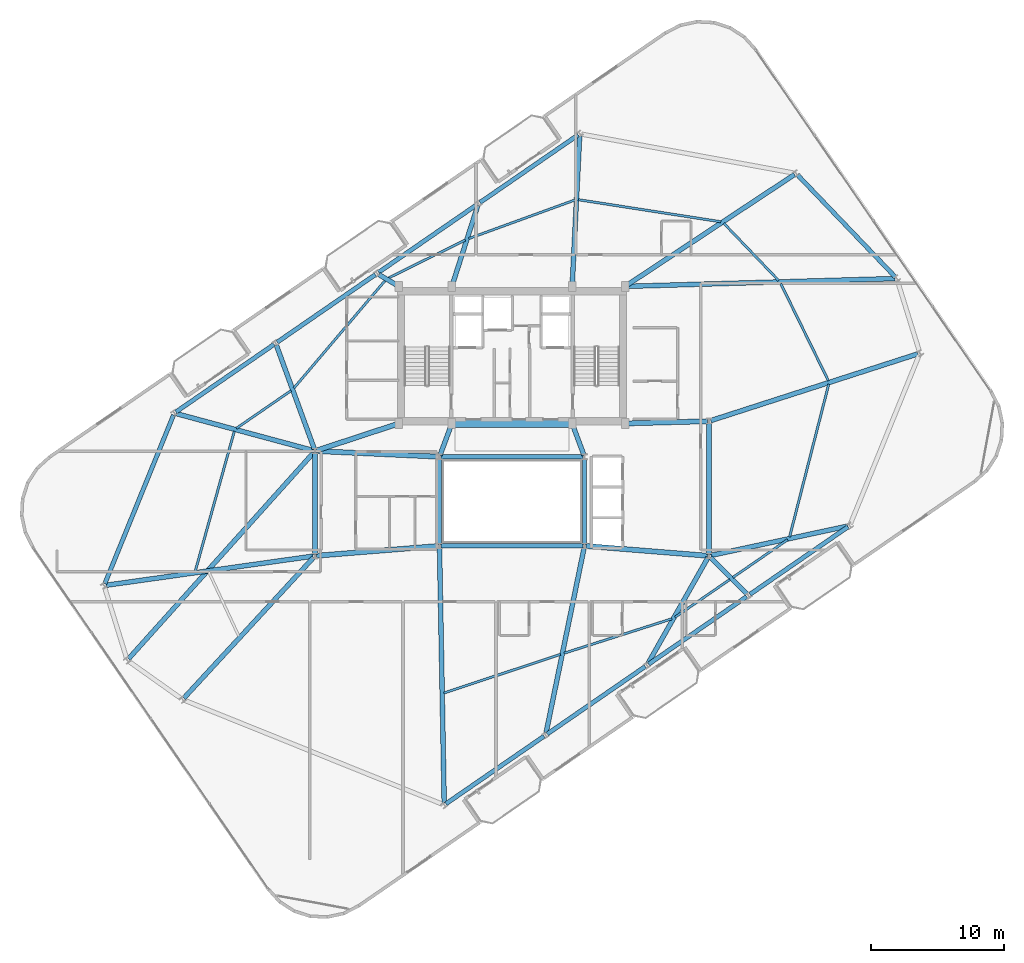
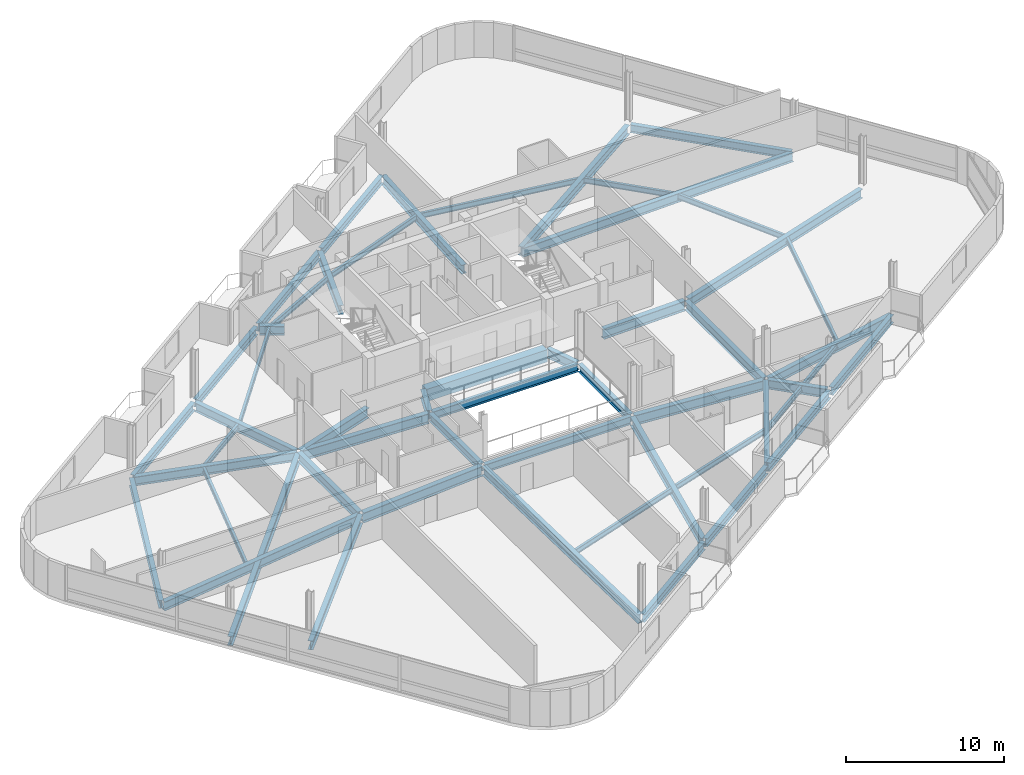
# One storey, part 8 of 23: 53 beams.
"""IFC4 building model written with IfcOpenShell, lengths in metres."""

import ifcopenshell
import ifcopenshell.guid

model = None  # the IFC model being written
_history = None  # IfcOwnerHistory: only IFC2X3 demands one
_inside = {}  # id of a spatial element -> (the spatial element, [elements in it])
_under = {}  # id of a project, library or spatial element -> (it, [spatial elements below it])
_declared = {}  # id of a project -> (the project, [libraries it declares])
_typed = {}  # id of a type object -> (the type object, [elements of that type])
_made_of = {}  # id of a material, layer set ... -> (it, [elements and type objects made of it])


def new_model(schema):
    """Start an empty IFC model of exactly this schema.

    Asked for "IFC4X3", IfcOpenShell would pick the latest addendum, in which some entities
    have other attributes; the version numbers below select the first issue.
    IFC2X3 requires an IfcOwnerHistory on every rooted entity: one is made here for all.
    """
    global model, _history
    if schema == "IFC4X3":
        model = ifcopenshell.file(schema_version=(4, 3, 0, 0))
    else:
        model = ifcopenshell.file(schema=schema)
    _inside.clear()
    _under.clear()
    _declared.clear()
    _typed.clear()
    _made_of.clear()
    _history = None
    if model.schema == "IFC2X3":
        org = make("IfcOrganization", Name="unknown")
        user = make(
            "IfcPersonAndOrganization",
            ThePerson=make("IfcPerson", FamilyName="unknown"),
            TheOrganization=org,
        )
        app = make(
            "IfcApplication",
            ApplicationDeveloper=org,
            Version="unknown",
            ApplicationFullName="unknown",
            ApplicationIdentifier="unknown",
        )
        _history = make(
            "IfcOwnerHistory",
            OwningUser=user,
            OwningApplication=app,
            ChangeAction="ADDED",
            CreationDate=0,
        )
    return model


def make(cls, **values):
    """One entity of the class cls with the attributes given. An attribute that is None is left unset."""
    return model.create_entity(
        cls, **{name: value for name, value in values.items() if value is not None}
    )


def rooted(cls, **values):
    """An entity with a GlobalId (a new one), such as an element, a storey or a relation."""
    return make(cls, GlobalId=ifcopenshell.guid.new(), OwnerHistory=_history, **values)


def si_unit(unit_type, name, prefix=None):
    """IfcSIUnit, for example si_unit("LENGTHUNIT", "METRE", prefix="MILLI")."""
    return make("IfcSIUnit", UnitType=unit_type, Prefix=prefix, Name=name)


def assignment(units):
    """IfcUnitAssignment: the units of a project."""
    return None if units is None else make("IfcUnitAssignment", Units=units)


def point(xyz):
    """IfcCartesianPoint."""
    return None if xyz is None else make("IfcCartesianPoint", Coordinates=xyz)


def direction(xyz):
    """IfcDirection."""
    return None if xyz is None else make("IfcDirection", DirectionRatios=xyz)


def frame(location, z_axis=None, x_axis=None):
    """IfcAxis2Placement3D, a coordinate frame: its origin and axes. An axis left out is left unset."""
    return make(
        "IfcAxis2Placement3D",
        Location=point(location),
        Axis=direction(z_axis),
        RefDirection=direction(x_axis),
    )


def frame_2d(location, x_axis=None):
    """IfcAxis2Placement2D, a coordinate frame in the plane: its origin and x axis."""
    return make(
        "IfcAxis2Placement2D", Location=point(location), RefDirection=direction(x_axis)
    )


def origin():
    """The frame at (0, 0, 0) with its axes left unset."""
    return frame((0.0, 0.0, 0.0))


def origin_2d():
    """The frame at (0, 0) in the plane with its x axis left unset."""
    return frame_2d((0.0, 0.0))


def place(relative_to, where):
    """IfcLocalPlacement: puts the frame where relative to a parent placement (None: the world)."""
    return make(
        "IfcLocalPlacement", PlacementRelTo=relative_to, RelativePlacement=where
    )


def context(
    kind, dimensions, precision=None, world=None, true_north=None, identifier=None
):
    """IfcGeometricRepresentationContext, for example the 3D "Model" context."""
    return make(
        "IfcGeometricRepresentationContext",
        ContextIdentifier=identifier,
        ContextType=kind,
        CoordinateSpaceDimension=dimensions,
        Precision=precision,
        WorldCoordinateSystem=world,
        TrueNorth=true_north,
    )


def subcontext(parent, identifier, kind, view, scale=None):
    """IfcGeometricRepresentationSubContext, for example "Body" below "Model"."""
    return make(
        "IfcGeometricRepresentationSubContext",
        ContextIdentifier=identifier,
        ContextType=kind,
        ParentContext=parent,
        TargetScale=scale,
        TargetView=view,
    )


def project(units=None, contexts=None):
    """IfcProject with its units and contexts."""
    return rooted(
        "IfcProject",
        Name="project",
        RepresentationContexts=contexts,
        UnitsInContext=assignment(units),
    )


def spatial(cls, under=None, at=None, **own):
    """A site, building, storey or space (cls), placed at a placement, below another one or the project."""
    s = rooted(cls, ObjectPlacement=at, **own)
    if under is not None:
        _under.setdefault(under.id(), (under, []))[1].append(s)
    return s


def profile(cls, at=None, kind="AREA", **sizes):
    """A parametric profile (cls). Its sizes go by their IFC names, for example OverallWidth=200.0."""
    return make(cls, ProfileType=kind, Position=at, **sizes)


def rectangle(**sizes):
    """IfcRectangleProfileDef."""
    return profile("IfcRectangleProfileDef", **sizes)


def i_section(**sizes):
    """IfcIShapeProfileDef."""
    return profile("IfcIShapeProfileDef", **sizes)


def extrude(swept, where, along, depth):
    """IfcExtrudedAreaSolid: the profile swept, set in the frame where, extruded along a direction by depth."""
    return make(
        "IfcExtrudedAreaSolid",
        SweptArea=swept,
        Position=where,
        ExtrudedDirection=direction(along),
        Depth=depth,
    )


def shape(context_of_items, identifier, shape_type, items):
    """IfcShapeRepresentation: the items that make up one representation, for example the "Body"."""
    return make(
        "IfcShapeRepresentation",
        ContextOfItems=context_of_items,
        RepresentationIdentifier=identifier,
        RepresentationType=shape_type,
        Items=items,
    )


def material(Name=None, Category=None):
    """IfcMaterial."""
    return make("IfcMaterial", Name=Name, Category=Category)


def material_profile(
    of_material, cross_section, Name=None, Category=None, Priority=None
):
    """IfcMaterialProfile: a cross section and its material."""
    return make(
        "IfcMaterialProfile",
        Name=Name,
        Material=of_material,
        Profile=cross_section,
        Priority=Priority,
        Category=Category,
    )


def profile_set(profiles, Name=None, composite=None):
    """IfcMaterialProfileSet."""
    return make(
        "IfcMaterialProfileSet",
        Name=Name,
        MaterialProfiles=profiles,
        CompositeProfile=composite,
    )


def made_of(thing, what):
    """Note that an element or type object is made of a material, layer set ...; save() writes the relation."""
    if what is not None:
        _made_of.setdefault(what.id(), (what, []))[1].append(thing)
    return thing


def type_object(cls, material=None, **own):
    """A type object (cls), such as IfcWallType, which elements share."""
    return made_of(rooted(cls, **own), material)


def element(
    cls,
    number,
    at=None,
    inside=None,
    cuts=None,
    type_object=None,
    material=None,
    context=None,
    identifier="Body",
    shape_type=None,
    held_by="IfcProductDefinitionShape",
    body=None,
    shapes=None,
    **own,
):
    """One element of the class cls, such as IfcWall. Its Tag is "e" and its number.

    at: its placement. inside: the storey or other place that contains it. cuts: it is an
    opening in that element (IfcRelVoidsElement). A single representation is given by context,
    identifier, shape_type and body (its items); several are given by shapes. held_by: the class
    of the entity that holds the representations. save() writes the other relations.
    """
    e = rooted(cls, Tag="e%d" % number, ObjectPlacement=at, **own)
    if body is not None:
        shapes = [shape(context, identifier, shape_type, body)]
    if shapes is not None:
        e.Representation = make(held_by, Representations=shapes)
    if inside is not None:
        _inside.setdefault(inside.id(), (inside, []))[1].append(e)
    if cuts is not None:
        rooted(
            "IfcRelVoidsElement", RelatingBuildingElement=cuts, RelatedOpeningElement=e
        )
    if type_object is not None:
        _typed.setdefault(type_object.id(), (type_object, []))[1].append(e)
    return made_of(e, material)


def aggregate(whole, parts):
    """IfcRelAggregates: a whole, such as a stair, and the parts it consists of."""
    return rooted("IfcRelAggregates", RelatingObject=whole, RelatedObjects=parts)


def save(model, path):
    """Write the relations noted so far, then the file.

    IfcRelAggregates (storeys below a building ...), IfcRelContainedInSpatialStructure (elements
    in a storey), IfcRelDefinesByType, IfcRelAssociatesMaterial and IfcRelDeclares: one each for
    every whole, place, type object, material and project.
    """
    for whole, parts in _under.values():
        aggregate(whole, parts)
    for where, things in _inside.values():
        rooted(
            "IfcRelContainedInSpatialStructure",
            RelatedElements=things,
            RelatingStructure=where,
        )
    for kind, things in _typed.values():
        rooted("IfcRelDefinesByType", RelatedObjects=things, RelatingType=kind)
    for what, things in _made_of.values():
        rooted("IfcRelAssociatesMaterial", RelatedObjects=things, RelatingMaterial=what)
    for by, libraries in _declared.values():
        rooted("IfcRelDeclares", RelatingContext=by, RelatedDefinitions=libraries)
    model.write(path)


model = new_model("IFC4")

# Units and contexts
model_context = context("Model", 3, precision=1e-05, world=origin(), true_north=direction((0.0, 1.0)))
body_context = subcontext(model_context, "Body", "Model", "MODEL_VIEW")
ifc_project = project(units=[si_unit("LENGTHUNIT", "METRE"), si_unit("AREAUNIT", "SQUARE_METRE"), si_unit("VOLUMEUNIT", "CUBIC_METRE"), si_unit("PLANEANGLEUNIT", "RADIAN"), si_unit("MASSUNIT", "GRAM", prefix="KILO")], contexts=[model_context])

# Site, building, storey
site_placement = place(None, origin())
site = spatial("IfcSite", under=ifc_project, at=site_placement, CompositionType="ELEMENT")
building_placement = place(site_placement, origin())
building = spatial("IfcBuilding", under=site, at=building_placement, Name="Varnelok Gate Tower", CompositionType="ELEMENT")
storey_placement = place(building_placement, frame((0.0, 0.0, 258.199951171875)))
storey = spatial("IfcBuildingStorey", under=building, at=storey_placement, Name="L66", CompositionType="ELEMENT", Elevation=258.199951171875)

# Beams
ifc_material_1 = material(Name="Structural Steel ASTM A992 Grade 50", Category="steel")
ifc_material_profile_1 = material_profile(ifc_material_1, i_section(OverallWidth=0.180908203125, OverallDepth=0.4169921875, WebThickness=0.010986328125, FlangeThickness=0.018310546875, FilletRadius=0.013916015625, at=origin_2d()), Name="W16X57")
ifc_profile_set_1 = profile_set([ifc_material_profile_1], Name="Structural Steel ASTM A992 Grade 50")
beam_type_1 = type_object("IfcBeamType", Name="BM-JST-W16X57", PredefinedType="JOIST", material=ifc_profile_set_1)
beam_1_placement = place(storey_placement, frame((34.086669921875, 8.49658203125, -0.45849609375), z_axis=(0.949274037085, 0.314450000026, 0.0), x_axis=(-0.314450000026, 0.949274037085, 0.0)))
element("IfcBeam", 1, at=beam_1_placement, inside=storey, type_object=beam_type_1, Name="L66 Sector Floor Joist 1", PredefinedType="JOIST", context=body_context, shape_type="SweptSolid", body=[
    extrude(i_section(OverallWidth=0.180908203125, OverallDepth=0.4169921875, WebThickness=0.010986328125, FlangeThickness=0.018310546875, FilletRadius=0.013916015625, at=origin_2d()), origin(), (0.0, 0.0, 1.0), 9.2314453125),
])
beam_2_placement = place(storey_placement, frame((43.1162109375, 11.486083984375, -0.45849609375), z_axis=(0.952675675673, 0.303988580347, 0.0), x_axis=(-0.303988580347, 0.952675675673, 0.0)))
element("IfcBeam", 2, at=beam_2_placement, inside=storey, type_object=beam_type_1, Name="L66 Sector Floor Joist 2", PredefinedType="JOIST", context=body_context, shape_type="SweptSolid", body=[
    extrude(i_section(OverallWidth=0.180908203125, OverallDepth=0.4169921875, WebThickness=0.010986328125, FlangeThickness=0.018310546875, FilletRadius=0.013916015625, at=origin_2d()), origin(), (0.0, 0.0, 1.0), 8.497802734375),
])
beam_3_placement = place(storey_placement, frame((51.460693359375, 14.19140625, -0.45849609375), z_axis=(0.823527908528, 0.567275756468, 0.0), x_axis=(-0.567275756468, 0.823527908528, 0.0)))
element("IfcBeam", 3, at=beam_3_placement, inside=storey, type_object=beam_type_1, Name="L66 Sector Floor Joist 3", PredefinedType="JOIST", context=body_context, shape_type="SweptSolid", body=[
    extrude(i_section(OverallWidth=0.180908203125, OverallDepth=0.4169921875, WebThickness=0.010986328125, FlangeThickness=0.018310546875, FilletRadius=0.013916015625, at=origin_2d()), origin(), (0.0, 0.0, 1.0), 4.992431640625),
])
beam_4_placement = place(storey_placement, frame((55.802734375, 17.18212890625, -0.45849609375), z_axis=(0.823520800119, 0.567286075778, 0.0), x_axis=(-0.567286075778, 0.823520800119, 0.0)))
element("IfcBeam", 4, at=beam_4_placement, inside=storey, type_object=beam_type_1, Name="L66 Sector Floor Joist 4", PredefinedType="JOIST", context=body_context, shape_type="SweptSolid", body=[
    extrude(i_section(OverallWidth=0.180908203125, OverallDepth=0.4169921875, WebThickness=0.010986328125, FlangeThickness=0.018310546875, FilletRadius=0.013916015625, at=origin_2d()), origin(), (0.0, 0.0, 1.0), 4.99267578125),
])
beam_5_placement = place(storey_placement, frame((60.064208984375, 20.229248046875, -0.45849609375), z_axis=(0.248276124204, 0.968689303208, 0.0), x_axis=(-0.968689303208, 0.248276124204, 0.0)))
element("IfcBeam", 5, at=beam_5_placement, inside=storey, type_object=beam_type_1, Name="L66 Sector Floor Joist 5", PredefinedType="JOIST", context=body_context, shape_type="SweptSolid", body=[
    extrude(i_section(OverallWidth=0.180908203125, OverallDepth=0.4169921875, WebThickness=0.010986328125, FlangeThickness=0.018310546875, FilletRadius=0.013916015625, at=origin_2d()), origin(), (0.0, 0.0, 1.0), 11.83935546875),
])
beam_6_placement = place(storey_placement, frame((62.976806640625, 31.959228515625, -0.45849609375), z_axis=(-0.439970708301, 0.898012124549, 0.0), x_axis=(-0.898012124549, -0.439970708301, 0.0)))
element("IfcBeam", 6, at=beam_6_placement, inside=storey, type_object=beam_type_1, Name="L66 Sector Floor Joist 6", PredefinedType="JOIST", context=body_context, shape_type="SweptSolid", body=[
    extrude(i_section(OverallWidth=0.180908203125, OverallDepth=0.4169921875, WebThickness=0.010986328125, FlangeThickness=0.018310546875, FilletRadius=0.013916015625, at=origin_2d()), origin(), (0.0, 0.0, 1.0), 8.13330078125),
])
beam_7_placement = place(storey_placement, frame((59.239990234375, 39.48974609375, -0.45849609375), z_axis=(-0.691805554004, 0.722083842396, 0.0), x_axis=(-0.722083842396, -0.691805554004, 0.0)))
element("IfcBeam", 7, at=beam_7_placement, inside=storey, type_object=beam_type_1, Name="L66 Sector Floor Joist 7", PredefinedType="JOIST", context=body_context, shape_type="SweptSolid", body=[
    extrude(i_section(OverallWidth=0.180908203125, OverallDepth=0.4169921875, WebThickness=0.010986328125, FlangeThickness=0.018310546875, FilletRadius=0.013916015625, at=origin_2d()), origin(), (0.0, 0.0, 1.0), 5.95068359375),
])
beam_8_placement = place(storey_placement, frame((54.88818359375, 43.9091796875, -0.45849609375), z_axis=(-0.98823160299, 0.152965024929, 0.0), x_axis=(-0.152965024929, -0.98823160299, 0.0)))
element("IfcBeam", 8, at=beam_8_placement, inside=storey, type_object=beam_type_1, Name="L66 Sector Floor Joist 8", PredefinedType="JOIST", context=body_context, shape_type="SweptSolid", body=[
    extrude(i_section(OverallWidth=0.180908203125, OverallDepth=0.4169921875, WebThickness=0.010986328125, FlangeThickness=0.018310546875, FilletRadius=0.013916015625, at=origin_2d()), origin(), (0.0, 0.0, 1.0), 10.830810546875),
])
beam_9_placement = place(storey_placement, frame((43.914794921875, 45.53955078125, -0.45849609375), z_axis=(-0.939849757467, -0.34158810487, 0.0), x_axis=(0.34158810487, -0.939849757467, 0.0)))
element("IfcBeam", 9, at=beam_9_placement, inside=storey, type_object=beam_type_1, Name="L66 Sector Floor Joist 9", PredefinedType="JOIST", context=body_context, shape_type="SweptSolid", body=[
    extrude(i_section(OverallWidth=0.180908203125, OverallDepth=0.4169921875, WebThickness=0.010986328125, FlangeThickness=0.018310546875, FilletRadius=0.013916015625, at=origin_2d()), origin(), (0.0, 0.0, 1.0), 8.475830078125),
])
beam_10_placement = place(storey_placement, frame((35.691650390625, 42.534423828125, -0.45849609375), z_axis=(-0.896552094437, -0.442938304914, 0.0), x_axis=(0.442938304914, -0.896552094437, 0.0)))
element("IfcBeam", 10, at=beam_10_placement, inside=storey, type_object=beam_type_1, Name="L66 Sector Floor Joist 10", PredefinedType="JOIST", context=body_context, shape_type="SweptSolid", body=[
    extrude(i_section(OverallWidth=0.180908203125, OverallDepth=0.4169921875, WebThickness=0.010986328125, FlangeThickness=0.018310546875, FilletRadius=0.013916015625, at=origin_2d()), origin(), (0.0, 0.0, 1.0), 6.471923828125),
])
beam_11_placement = place(storey_placement, frame((29.673095703125, 39.498779296875, -0.45849609375), z_axis=(-0.647000133206, -0.762489886905, 0.0), x_axis=(0.762489886905, -0.647000133206, 0.0)))
element("IfcBeam", 11, at=beam_11_placement, inside=storey, type_object=beam_type_1, Name="L66 Sector Floor Joist 11", PredefinedType="JOIST", context=body_context, shape_type="SweptSolid", body=[
    extrude(i_section(OverallWidth=0.180908203125, OverallDepth=0.4169921875, WebThickness=0.010986328125, FlangeThickness=0.018310546875, FilletRadius=0.013916015625, at=origin_2d()), origin(), (0.0, 0.0, 1.0), 10.618408203125),
])
beam_12_placement = place(storey_placement, frame((22.597412109375, 31.21630859375, -0.45849609375), z_axis=(-0.823520800119, -0.567286075778, 0.0), x_axis=(0.567286075778, -0.823520800119, 0.0)))
element("IfcBeam", 12, at=beam_12_placement, inside=storey, type_object=beam_type_1, Name="L66 Sector Floor Joist 12", PredefinedType="JOIST", context=body_context, shape_type="SweptSolid", body=[
    extrude(i_section(OverallWidth=0.180908203125, OverallDepth=0.4169921875, WebThickness=0.010986328125, FlangeThickness=0.018310546875, FilletRadius=0.013916015625, at=origin_2d()), origin(), (0.0, 0.0, 1.0), 4.99267578125),
])
beam_13_placement = place(storey_placement, frame((18.332763671875, 28.169921875, -0.45849609375), z_axis=(-0.268896021427, -0.963169211333, 0.0), x_axis=(0.963169211333, -0.268896021427, 0.0)))
element("IfcBeam", 13, at=beam_13_placement, inside=storey, type_object=beam_type_1, Name="L66 Sector Floor Joist 13", PredefinedType="JOIST", context=body_context, shape_type="SweptSolid", body=[
    extrude(i_section(OverallWidth=0.180908203125, OverallDepth=0.4169921875, WebThickness=0.010986328125, FlangeThickness=0.018310546875, FilletRadius=0.013916015625, at=origin_2d()), origin(), (0.0, 0.0, 1.0), 10.908935546875),
])
ifc_material_2 = material(Name="Concrete C60/75", Category="concrete")
ifc_material_profile_2 = material_profile(ifc_material_2, rectangle(XDim=0.60009765625, YDim=0.949951171875, at=origin_2d()), Name="RC950X600")
ifc_profile_set_2 = profile_set([ifc_material_profile_2], Name="Concrete C60/75")
beam_type_2 = type_object("IfcBeamType", Name="BM-LNT-RC950", PredefinedType="LINTEL", material=ifc_profile_set_2)
beam_14_placement = place(storey_placement, frame((34.800048828125, 28.75, -0.724853515625), z_axis=(1.0, 0.0, 0.0), x_axis=(0.0, 1.0, 0.0)))
element("IfcBeam", 14, at=beam_14_placement, inside=storey, type_object=beam_type_2, Name="L66 Core-Atrium Spine Beam 7", PredefinedType="LINTEL", context=body_context, shape_type="SweptSolid", body=[
    extrude(rectangle(XDim=0.60009765625, YDim=0.949951171875, at=origin_2d()), origin(), (0.0, 0.0, 1.0), 8.800048828125),
])
ifc_material_profile_3 = material_profile(ifc_material_1, i_section(OverallWidth=0.35498046875, OverallDepth=0.696044921875, WebThickness=0.015380859375, FlangeThickness=0.02490234375, FilletRadius=0.02001953125, at=origin_2d()), Name="W27X146")
ifc_profile_set_3 = profile_set([ifc_material_profile_3], Name="Structural Steel ASTM A992 Grade 50")
beam_type_3 = type_object("IfcBeamType", Name="BM-PRI-W27X146", PredefinedType="BEAM", material=ifc_profile_set_3)
for number, where, z_axis, x_axis, name in (
    (15, (33.791748046875, 26.362548828125, -0.597900390625), (0.348719329408, 0.937227202602, 0.0), (-0.937227202602, 0.348719329408, 0.0), "L66 Core-Atrium Spine Beam 12"),
    (16, (44.608154296875, 26.362548828125, -0.597900390625), (-0.348719329408, 0.937227202602, 0.0), (-0.937227202602, -0.348719329408, 0.0), "L66 Core-Atrium Spine Beam 13"),
):
    element("IfcBeam", number, at=place(storey_placement, frame(where, z_axis=z_axis, x_axis=x_axis)), inside=storey, type_object=beam_type_3, Name=name, PredefinedType="BEAM", context=body_context, shape_type="SweptSolid", body=[
        extrude(i_section(OverallWidth=0.35498046875, OverallDepth=0.696044921875, WebThickness=0.015380859375, FlangeThickness=0.02490234375, FilletRadius=0.02001953125, at=origin_2d()), origin(), (0.0, 0.0, 1.0), 2.42724609375),
    ])
beam_15_placement = place(storey_placement, frame((24.39990234375, 18.919921875, -0.597900390625), z_axis=(0.0, 1.0, 0.0), x_axis=(-1.0, 0.0, 0.0)))
element("IfcBeam", 17, at=beam_15_placement, inside=storey, type_object=beam_type_3, Name="L66 Core-Atrium Spine Beam 16", PredefinedType="BEAM", context=body_context, shape_type="SweptSolid", body=[
    extrude(i_section(OverallWidth=0.35498046875, OverallDepth=0.696044921875, WebThickness=0.015380859375, FlangeThickness=0.02490234375, FilletRadius=0.02001953125, at=origin_2d()), origin(), (0.0, 0.0, 1.0), 7.64013671875),
])
beam_16_placement = place(storey_placement, frame((54.0, 18.919921875, -0.597900390625), z_axis=(0.0, 1.0, 0.0), x_axis=(-1.0, 0.0, 0.0)))
element("IfcBeam", 18, at=beam_16_placement, inside=storey, type_object=beam_type_3, Name="L66 Core-Atrium Spine Beam 20", PredefinedType="BEAM", context=body_context, shape_type="SweptSolid", body=[
    extrude(i_section(OverallWidth=0.35498046875, OverallDepth=0.696044921875, WebThickness=0.015380859375, FlangeThickness=0.02490234375, FilletRadius=0.02001953125, at=origin_2d()), origin(), (0.0, 0.0, 1.0), 9.880126953125),
])
beam_17_placement = place(storey_placement, frame((33.752685546875, 19.39990234375, -0.597900390625), z_axis=(0.018349623406, -0.999831631486, 0.0), x_axis=(0.999831631486, 0.018349623406, 0.0)))
element("IfcBeam", 19, at=beam_17_placement, inside=storey, type_object=beam_type_3, Name="L66 Radial Floor Girder 1", PredefinedType="BEAM", context=body_context, shape_type="SweptSolid", body=[
    extrude(i_section(OverallWidth=0.35498046875, OverallDepth=0.696044921875, WebThickness=0.015380859375, FlangeThickness=0.02490234375, FilletRadius=0.02001953125, at=origin_2d()), origin(), (0.0, 0.0, 1.0), 19.17236328125),
])
beam_18_placement = place(storey_placement, frame((44.619873046875, 19.403076171875, -0.597900390625), z_axis=(-0.201445575576, -0.979499709077, 0.0), x_axis=(0.979499709077, -0.201445575576, 0.0)))
element("IfcBeam", 20, at=beam_18_placement, inside=storey, type_object=beam_type_3, Name="L66 Radial Floor Girder 2", PredefinedType="BEAM", context=body_context, shape_type="SweptSolid", body=[
    extrude(i_section(OverallWidth=0.35498046875, OverallDepth=0.696044921875, WebThickness=0.015380859375, FlangeThickness=0.02490234375, FilletRadius=0.02001953125, at=origin_2d()), origin(), (0.0, 0.0, 1.0), 14.2197265625),
])
beam_19_placement = place(storey_placement, frame((53.926025390625, 18.66943359375, -0.597900390625), z_axis=(-0.49272782428, -0.870183481331, 0.0), x_axis=(0.870183481331, -0.49272782428, 0.0)))
element("IfcBeam", 21, at=beam_19_placement, inside=storey, type_object=beam_type_3, Name="L66 Radial Floor Girder 3", PredefinedType="BEAM", context=body_context, shape_type="SweptSolid", body=[
    extrude(i_section(OverallWidth=0.35498046875, OverallDepth=0.696044921875, WebThickness=0.015380859375, FlangeThickness=0.02490234375, FilletRadius=0.02001953125, at=origin_2d()), origin(), (0.0, 0.0, 1.0), 9.151611328125),
])
beam_20_placement = place(storey_placement, frame((54.105712890625, 18.693603515625, -0.597900390625), z_axis=(0.705068615511, -0.709139088911, 0.0), x_axis=(0.709139088911, 0.705068615511, 0.0)))
element("IfcBeam", 22, at=beam_20_placement, inside=storey, type_object=beam_type_3, Name="L66 Radial Floor Girder 4", PredefinedType="BEAM", context=body_context, shape_type="SweptSolid", body=[
    extrude(i_section(OverallWidth=0.35498046875, OverallDepth=0.696044921875, WebThickness=0.015380859375, FlangeThickness=0.02490234375, FilletRadius=0.02001953125, at=origin_2d()), origin(), (0.0, 0.0, 1.0), 3.898681640625),
])
beam_21_placement = place(storey_placement, frame((54.146728515625, 18.83154296875, -0.597900390625), z_axis=(0.977750075893, 0.209773184872, 0.0), x_axis=(-0.209773184872, 0.977750075893, 0.0)))
element("IfcBeam", 23, at=beam_21_placement, inside=storey, type_object=beam_type_3, Name="L66 Radial Floor Girder 5", PredefinedType="BEAM", context=body_context, shape_type="SweptSolid", body=[
    extrude(i_section(OverallWidth=0.35498046875, OverallDepth=0.696044921875, WebThickness=0.015380859375, FlangeThickness=0.02490234375, FilletRadius=0.02001953125, at=origin_2d()), origin(), (0.0, 0.0, 1.0), 10.518798828125),
])
beam_22_placement = place(storey_placement, frame((54.142822265625, 28.966064453125, -0.597900390625), z_axis=(0.95177048337, 0.306810930356, 0.0), x_axis=(-0.306810930356, 0.95177048337, 0.0)))
element("IfcBeam", 24, at=beam_22_placement, inside=storey, type_object=beam_type_3, Name="L66 Radial Floor Girder 6", PredefinedType="BEAM", context=body_context, shape_type="SweptSolid", body=[
    extrude(i_section(OverallWidth=0.35498046875, OverallDepth=0.696044921875, WebThickness=0.015380859375, FlangeThickness=0.02490234375, FilletRadius=0.02001953125, at=origin_2d()), origin(), (0.0, 0.0, 1.0), 16.3603515625),
])
beam_23_placement = place(storey_placement, frame((47.849853515625, 39.054443359375, -0.597900390625), z_axis=(0.999576755953, 0.029091389778, 0.0), x_axis=(-0.029091389778, 0.999576755953, 0.0)))
element("IfcBeam", 25, at=beam_23_placement, inside=storey, type_object=beam_type_3, Name="L66 Radial Floor Girder 7", PredefinedType="BEAM", context=body_context, shape_type="SweptSolid", body=[
    extrude(i_section(OverallWidth=0.35498046875, OverallDepth=0.696044921875, WebThickness=0.015380859375, FlangeThickness=0.02490234375, FilletRadius=0.02001953125, at=origin_2d()), origin(), (0.0, 0.0, 1.0), 20.12451171875),
])
beam_24_placement = place(storey_placement, frame((47.8251953125, 39.1328125, -0.597900390625), z_axis=(0.834499250809, 0.551009074697, 0.0), x_axis=(-0.551009074697, 0.834499250809, 0.0)))
element("IfcBeam", 26, at=beam_24_placement, inside=storey, type_object=beam_type_3, Name="L66 Radial Floor Girder 8", PredefinedType="BEAM", context=body_context, shape_type="SweptSolid", body=[
    extrude(i_section(OverallWidth=0.35498046875, OverallDepth=0.696044921875, WebThickness=0.015380859375, FlangeThickness=0.02490234375, FilletRadius=0.02001953125, at=origin_2d()), origin(), (0.0, 0.0, 1.0), 15.102783203125),
])
beam_25_placement = place(storey_placement, frame((43.7275390625, 39.19970703125, -0.597900390625), z_axis=(0.049860312634, 0.998756201094, 0.0), x_axis=(-0.998756201094, 0.049860312634, 0.0)))
element("IfcBeam", 27, at=beam_25_placement, inside=storey, type_object=beam_type_3, Name="L66 Radial Floor Girder 9", PredefinedType="BEAM", context=body_context, shape_type="SweptSolid", body=[
    extrude(i_section(OverallWidth=0.35498046875, OverallDepth=0.696044921875, WebThickness=0.015380859375, FlangeThickness=0.02490234375, FilletRadius=0.02001953125, at=origin_2d()), origin(), (0.0, 0.0, 1.0), 11.18359375),
])
beam_26_placement = place(storey_placement, frame((34.725830078125, 39.19287109375, -0.597900390625), z_axis=(0.305315663047, 0.952251198948, 0.0), x_axis=(-0.952251198948, 0.305315663047, 0.0)))
element("IfcBeam", 28, at=beam_26_placement, inside=storey, type_object=beam_type_3, Name="L66 Radial Floor Girder 10", PredefinedType="BEAM", context=body_context, shape_type="SweptSolid", body=[
    extrude(i_section(OverallWidth=0.35498046875, OverallDepth=0.696044921875, WebThickness=0.015380859375, FlangeThickness=0.02490234375, FilletRadius=0.02001953125, at=origin_2d()), origin(), (0.0, 0.0, 1.0), 6.23388671875),
])
beam_27_placement = place(storey_placement, frame((30.571044921875, 39.12646484375, -0.597900390625), z_axis=(-0.859971198292, 0.510342569367, 0.0), x_axis=(-0.510342569367, -0.859971198292, 0.0)))
element("IfcBeam", 29, at=beam_27_placement, inside=storey, type_object=beam_type_3, Name="L66 Radial Floor Girder 11", PredefinedType="BEAM", context=body_context, shape_type="SweptSolid", body=[
    extrude(i_section(OverallWidth=0.35498046875, OverallDepth=0.696044921875, WebThickness=0.015380859375, FlangeThickness=0.02490234375, FilletRadius=0.02001953125, at=origin_2d()), origin(), (0.0, 0.0, 1.0), 1.6103515625),
])
beam_28_placement = place(storey_placement, frame((24.348388671875, 26.82080078125, -0.597900390625), z_axis=(-0.343337291508, 0.939212172121, 0.0), x_axis=(-0.939212172121, -0.343337291508, 0.0)))
element("IfcBeam", 30, at=beam_28_placement, inside=storey, type_object=beam_type_3, Name="L66 Radial Floor Girder 12", PredefinedType="BEAM", context=body_context, shape_type="SweptSolid", body=[
    extrude(i_section(OverallWidth=0.35498046875, OverallDepth=0.696044921875, WebThickness=0.015380859375, FlangeThickness=0.02490234375, FilletRadius=0.02001953125, at=origin_2d()), origin(), (0.0, 0.0, 1.0), 8.32177734375),
])
beam_29_placement = place(storey_placement, frame((24.255126953125, 26.718994140625, -0.597900390625), z_axis=(-0.965561980059, 0.260173139782, 0.0), x_axis=(-0.260173139782, -0.965561980059, 0.0)))
element("IfcBeam", 31, at=beam_29_placement, inside=storey, type_object=beam_type_3, Name="L66 Radial Floor Girder 13", PredefinedType="BEAM", context=body_context, shape_type="SweptSolid", body=[
    extrude(i_section(OverallWidth=0.35498046875, OverallDepth=0.696044921875, WebThickness=0.015380859375, FlangeThickness=0.02490234375, FilletRadius=0.02001953125, at=origin_2d()), origin(), (0.0, 0.0, 1.0), 10.6552734375),
])
beam_30_placement = place(storey_placement, frame((24.25146484375, 18.779052734375, -0.597900390625), z_axis=(-0.990242546669, -0.139354579277, 0.0), x_axis=(0.139354579277, -0.990242546669, 0.0)))
element("IfcBeam", 32, at=beam_30_placement, inside=storey, type_object=beam_type_3, Name="L66 Radial Floor Girder 14", PredefinedType="BEAM", context=body_context, shape_type="SweptSolid", body=[
    extrude(i_section(OverallWidth=0.35498046875, OverallDepth=0.696044921875, WebThickness=0.015380859375, FlangeThickness=0.02490234375, FilletRadius=0.02001953125, at=origin_2d()), origin(), (0.0, 0.0, 1.0), 15.713134765625),
])
beam_31_placement = place(storey_placement, frame((24.2998046875, 26.568359375, -0.597900390625), z_axis=(-0.668020095308, -0.744143233702, 0.0), x_axis=(0.744143233702, -0.668020095308, 0.0)))
element("IfcBeam", 33, at=beam_31_placement, inside=storey, type_object=beam_type_3, Name="L66 Radial Floor Girder 15", PredefinedType="BEAM", context=body_context, shape_type="SweptSolid", body=[
    extrude(i_section(OverallWidth=0.35498046875, OverallDepth=0.696044921875, WebThickness=0.015380859375, FlangeThickness=0.02490234375, FilletRadius=0.02001953125, at=origin_2d()), origin(), (0.0, 0.0, 1.0), 20.83056640625),
])
beam_32_placement = place(storey_placement, frame((24.29833984375, 18.689697265625, -0.597900390625), z_axis=(-0.677969926739, -0.73508963973, 0.0), x_axis=(0.73508963973, -0.677969926739, 0.0)))
element("IfcBeam", 34, at=beam_32_placement, inside=storey, type_object=beam_type_3, Name="L66 Radial Floor Girder 16", PredefinedType="BEAM", context=body_context, shape_type="SweptSolid", body=[
    extrude(i_section(OverallWidth=0.35498046875, OverallDepth=0.696044921875, WebThickness=0.015380859375, FlangeThickness=0.02490234375, FilletRadius=0.02001953125, at=origin_2d()), origin(), (0.0, 0.0, 1.0), 14.386962890625),
])
ifc_material_profile_4 = material_profile(ifc_material_1, i_section(OverallWidth=0.381103515625, OverallDepth=0.77294921875, WebThickness=0.0166015625, FlangeThickness=0.027099609375, FilletRadius=0.02197265625, at=origin_2d()), Name="W30X173")
ifc_profile_set_4 = profile_set([ifc_material_profile_4], Name="Structural Steel ASTM A992 Grade 50")
beam_type_4 = type_object("IfcBeamType", Name="BM-PRI-W30X173", PredefinedType="BEAM", material=ifc_profile_set_4)
beam_33_placement = place(storey_placement, frame((24.51953125, 18.8095703125, -0.636474609375), z_axis=(0.996799206292, 0.07994587128, 0.0), x_axis=(-0.07994587128, 0.996799206292, 0.0)))
element("IfcBeam", 35, at=beam_33_placement, inside=storey, type_object=beam_type_4, Name="L66 Core-Atrium Spine Beam 14", PredefinedType="BEAM", context=body_context, shape_type="SweptSolid", body=[
    extrude(i_section(OverallWidth=0.381103515625, OverallDepth=0.77294921875, WebThickness=0.0166015625, FlangeThickness=0.027099609375, FilletRadius=0.02197265625, at=origin_2d()), origin(), (0.0, 0.0, 1.0), 9.14013671875),
])
beam_34_placement = place(storey_placement, frame((24.52001953125, 26.674560546875, -0.636474609375), z_axis=(0.99894427814, -0.045938319209, 0.0), x_axis=(0.045938319209, 0.99894427814, 0.0)))
element("IfcBeam", 36, at=beam_34_placement, inside=storey, type_object=beam_type_4, Name="L66 Core-Atrium Spine Beam 15", PredefinedType="BEAM", context=body_context, shape_type="SweptSolid", body=[
    extrude(i_section(OverallWidth=0.381103515625, OverallDepth=0.77294921875, WebThickness=0.0166015625, FlangeThickness=0.027099609375, FilletRadius=0.02197265625, at=origin_2d()), origin(), (0.0, 0.0, 1.0), 9.11962890625),
])
beam_35_placement = place(storey_placement, frame((24.513916015625, 26.717529296875, -0.636474609375), z_axis=(0.950041943788, 0.312122259768, 0.0), x_axis=(-0.312122259768, 0.950041943788, 0.0)))
element("IfcBeam", 37, at=beam_35_placement, inside=storey, type_object=beam_type_4, Name="L66 Core-Atrium Spine Beam 17", PredefinedType="BEAM", context=body_context, shape_type="SweptSolid", body=[
    extrude(i_section(OverallWidth=0.381103515625, OverallDepth=0.77294921875, WebThickness=0.0166015625, FlangeThickness=0.027099609375, FilletRadius=0.02197265625, at=origin_2d()), origin(), (0.0, 0.0, 1.0), 6.391357421875),
])
beam_36_placement = place(storey_placement, frame((44.76953125, 19.540283203125, -0.636474609375), z_axis=(0.996799206292, -0.07994587128, 0.0), x_axis=(0.07994587128, 0.996799206292, 0.0)))
element("IfcBeam", 38, at=beam_36_placement, inside=storey, type_object=beam_type_4, Name="L66 Core-Atrium Spine Beam 18", PredefinedType="BEAM", context=body_context, shape_type="SweptSolid", body=[
    extrude(i_section(OverallWidth=0.381103515625, OverallDepth=0.77294921875, WebThickness=0.0166015625, FlangeThickness=0.027099609375, FilletRadius=0.02197265625, at=origin_2d()), origin(), (0.0, 0.0, 1.0), 9.14013671875),
])
beam_37_placement = place(storey_placement, frame((47.820068359375, 28.753173828125, -0.636474609375), z_axis=(0.999635880609, 0.026983443053, 0.0), x_axis=(-0.026983443053, 0.999635880609, 0.0)))
element("IfcBeam", 39, at=beam_37_placement, inside=storey, type_object=beam_type_4, Name="L66 Core-Atrium Spine Beam 19", PredefinedType="BEAM", context=body_context, shape_type="SweptSolid", body=[
    extrude(i_section(OverallWidth=0.381103515625, OverallDepth=0.77294921875, WebThickness=0.0166015625, FlangeThickness=0.027099609375, FilletRadius=0.02197265625, at=origin_2d()), origin(), (0.0, 0.0, 1.0), 6.06201171875),
])
ifc_material_profile_5 = material_profile(ifc_material_1, i_section(OverallWidth=0.323974609375, OverallDepth=0.611083984375, WebThickness=0.0126953125, FlangeThickness=0.01904296875, FilletRadius=0.01806640625, at=origin_2d()), Name="W24X104")
ifc_profile_set_5 = profile_set([ifc_material_profile_5], Name="Structural Steel ASTM A992 Grade 50")
beam_type_5 = type_object("IfcBeamType", Name="BM-SPN-W24X104", PredefinedType="SPANDREL", material=ifc_profile_set_5)
for number, where, z_axis, x_axis, name in (
    (40, (33.8701171875, 19.550048828125, -0.555419921875), (1.0, 0.0, 0.0), (0.0, 1.0, 0.0), "L66 Core-Atrium Spine Beam 8"),
    (41, (33.8701171875, 26.25, -0.555419921875), (1.0, 0.0, 0.0), (0.0, 1.0, 0.0), "L66 Core-Atrium Spine Beam 9"),
):
    element("IfcBeam", number, at=place(storey_placement, frame(where, z_axis=z_axis, x_axis=x_axis)), inside=storey, type_object=beam_type_5, Name=name, PredefinedType="SPANDREL", context=body_context, shape_type="SweptSolid", body=[
        extrude(i_section(OverallWidth=0.323974609375, OverallDepth=0.611083984375, WebThickness=0.0126953125, FlangeThickness=0.01904296875, FilletRadius=0.01806640625, at=origin_2d()), origin(), (0.0, 0.0, 1.0), 10.659912109375),
    ])
for number, where, z_axis, x_axis, name in (
    (42, (33.75, 19.669921875, -0.555419921875), (0.0, 1.0, 0.0), (-1.0, 0.0, 0.0), "L66 Core-Atrium Spine Beam 10"),
    (43, (44.64990234375, 19.669921875, -0.555419921875), (0.0, 1.0, 0.0), (-1.0, 0.0, 0.0), "L66 Core-Atrium Spine Beam 11"),
):
    element("IfcBeam", number, at=place(storey_placement, frame(where, z_axis=z_axis, x_axis=x_axis)), inside=storey, type_object=beam_type_5, Name=name, PredefinedType="SPANDREL", context=body_context, shape_type="SweptSolid", body=[
        extrude(i_section(OverallWidth=0.323974609375, OverallDepth=0.611083984375, WebThickness=0.0126953125, FlangeThickness=0.01904296875, FilletRadius=0.01806640625, at=origin_2d()), origin(), (0.0, 0.0, 1.0), 6.4599609375),
    ])
for number, where, z_axis, x_axis, name in (
    (44, (34.23095703125, 0.166015625, -0.555419921875), (0.823540167677, 0.567257959153, 0.0), (-0.567257959153, 0.823540167677, 0.0), "L66 Perimeter Spandrel Beam 1"),
    (45, (41.8486328125, 5.4130859375, -0.555419921875), (0.823540167677, 0.567257959153, 0.0), (-0.567257959153, 0.823540167677, 0.0), "L66 Perimeter Spandrel Beam 2"),
    (46, (49.46630859375, 10.660400390625, -0.555419921875), (0.823540167677, 0.567257959153, 0.0), (-0.567257959153, 0.823540167677, 0.0), "L66 Perimeter Spandrel Beam 3"),
    (47, (57.083984375, 15.90771484375, -0.555419921875), (0.823540167677, 0.567257959153, 0.0), (-0.567257959153, 0.823540167677, 0.0), "L66 Perimeter Spandrel Beam 4"),
):
    element("IfcBeam", number, at=place(storey_placement, frame(where, z_axis=z_axis, x_axis=x_axis)), inside=storey, type_object=beam_type_5, Name=name, PredefinedType="SPANDREL", context=body_context, shape_type="SweptSolid", body=[
        extrude(i_section(OverallWidth=0.323974609375, OverallDepth=0.611083984375, WebThickness=0.0126953125, FlangeThickness=0.01904296875, FilletRadius=0.01806640625, at=origin_2d()), origin(), (0.0, 0.0, 1.0), 8.949951171875),
    ])
beam_38_placement = place(storey_placement, frame((68.01171875, 39.75244140625, -0.555419921875), z_axis=(-0.691775667186, 0.722112474819, 0.0), x_axis=(-0.722112474819, -0.691775667186, 0.0)))
element("IfcBeam", 48, at=beam_38_placement, inside=storey, type_object=beam_type_5, Name="L66 Perimeter Spandrel Beam 7", PredefinedType="SPANDREL", context=body_context, shape_type="SweptSolid", body=[
    extrude(i_section(OverallWidth=0.323974609375, OverallDepth=0.611083984375, WebThickness=0.0126953125, FlangeThickness=0.01904296875, FilletRadius=0.01806640625, at=origin_2d()), origin(), (0.0, 0.0, 1.0), 10.630859375),
])
for number, where, z_axis, x_axis, name in (
    (49, (44.169189453125, 50.43408203125, -0.555419921875), (-0.823548945124, -0.567245215921, 0.0), (0.567245215921, -0.823548945124, 0.0), "L66 Perimeter Spandrel Beam 9"),
    (50, (36.551513671875, 45.18701171875, -0.555419921875), (-0.823536202099, -0.567263716301, 0.0), (0.567263716301, -0.823536202099, 0.0), "L66 Perimeter Spandrel Beam 10"),
):
    element("IfcBeam", number, at=place(storey_placement, frame(where, z_axis=z_axis, x_axis=x_axis)), inside=storey, type_object=beam_type_5, Name=name, PredefinedType="SPANDREL", context=body_context, shape_type="SweptSolid", body=[
        extrude(i_section(OverallWidth=0.323974609375, OverallDepth=0.611083984375, WebThickness=0.0126953125, FlangeThickness=0.01904296875, FilletRadius=0.01806640625, at=origin_2d()), origin(), (0.0, 0.0, 1.0), 8.9501953125),
    ])
beam_39_placement = place(storey_placement, frame((28.93359375, 39.939697265625, -0.555419921875), z_axis=(-0.823527424215, -0.567276459555, 0.0), x_axis=(0.567276459555, -0.823527424215, 0.0)))
element("IfcBeam", 51, at=beam_39_placement, inside=storey, type_object=beam_type_5, Name="L66 Perimeter Spandrel Beam 11", PredefinedType="SPANDREL", context=body_context, shape_type="SweptSolid", body=[
    extrude(i_section(OverallWidth=0.323974609375, OverallDepth=0.611083984375, WebThickness=0.0126953125, FlangeThickness=0.01904296875, FilletRadius=0.01806640625, at=origin_2d()), origin(), (0.0, 0.0, 1.0), 8.949951171875),
])
beam_40_placement = place(storey_placement, frame((21.316162109375, 34.6923828125, -0.555419921875), z_axis=(-0.823548945124, -0.567245215921, 0.0), x_axis=(0.567245215921, -0.823548945124, 0.0)))
element("IfcBeam", 52, at=beam_40_placement, inside=storey, type_object=beam_type_5, Name="L66 Perimeter Spandrel Beam 12", PredefinedType="SPANDREL", context=body_context, shape_type="SweptSolid", body=[
    extrude(i_section(OverallWidth=0.323974609375, OverallDepth=0.611083984375, WebThickness=0.0126953125, FlangeThickness=0.01904296875, FilletRadius=0.01806640625, at=origin_2d()), origin(), (0.0, 0.0, 1.0), 8.9501953125),
])
beam_41_placement = place(storey_placement, frame((13.765380859375, 29.391357421875, -0.555419921875), z_axis=(-0.377174006677, -0.926142412746, 0.0), x_axis=(0.926142412746, -0.377174006677, 0.0)))
element("IfcBeam", 53, at=beam_41_placement, inside=storey, type_object=beam_type_5, Name="L66 Perimeter Spandrel Beam 13", PredefinedType="SPANDREL", context=body_context, shape_type="SweptSolid", body=[
    extrude(i_section(OverallWidth=0.323974609375, OverallDepth=0.611083984375, WebThickness=0.0126953125, FlangeThickness=0.01904296875, FilletRadius=0.01806640625, at=origin_2d()), origin(), (0.0, 0.0, 1.0), 13.6953125),
])

save(model, "model.ifc")
